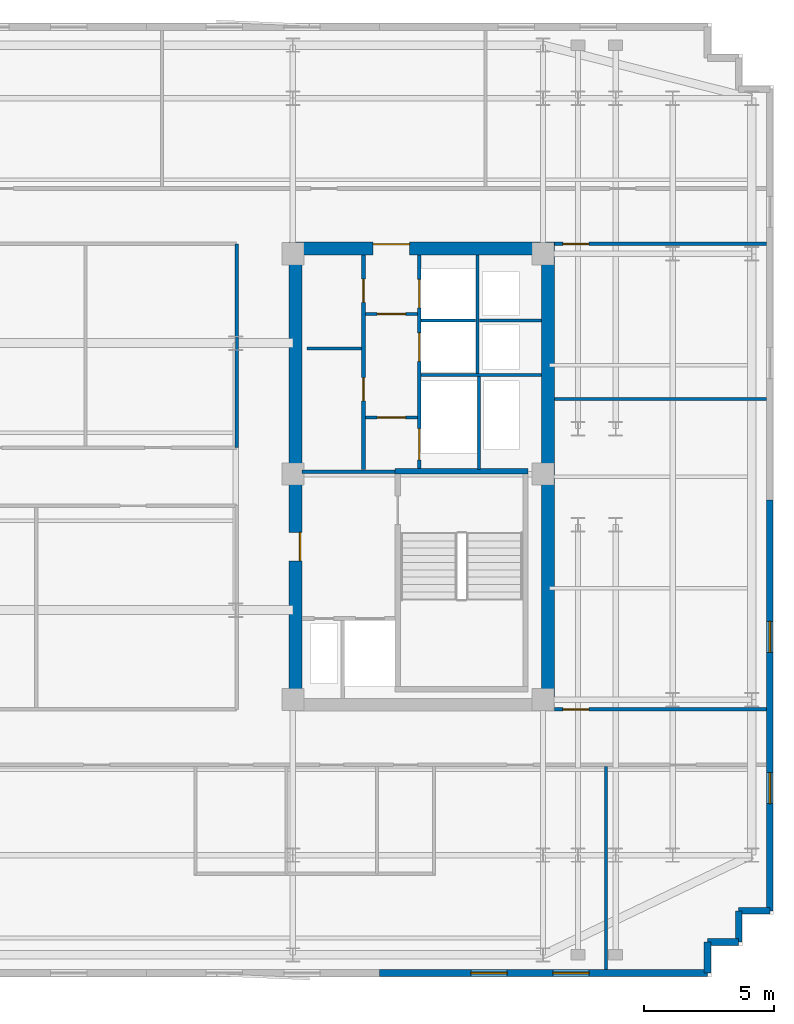
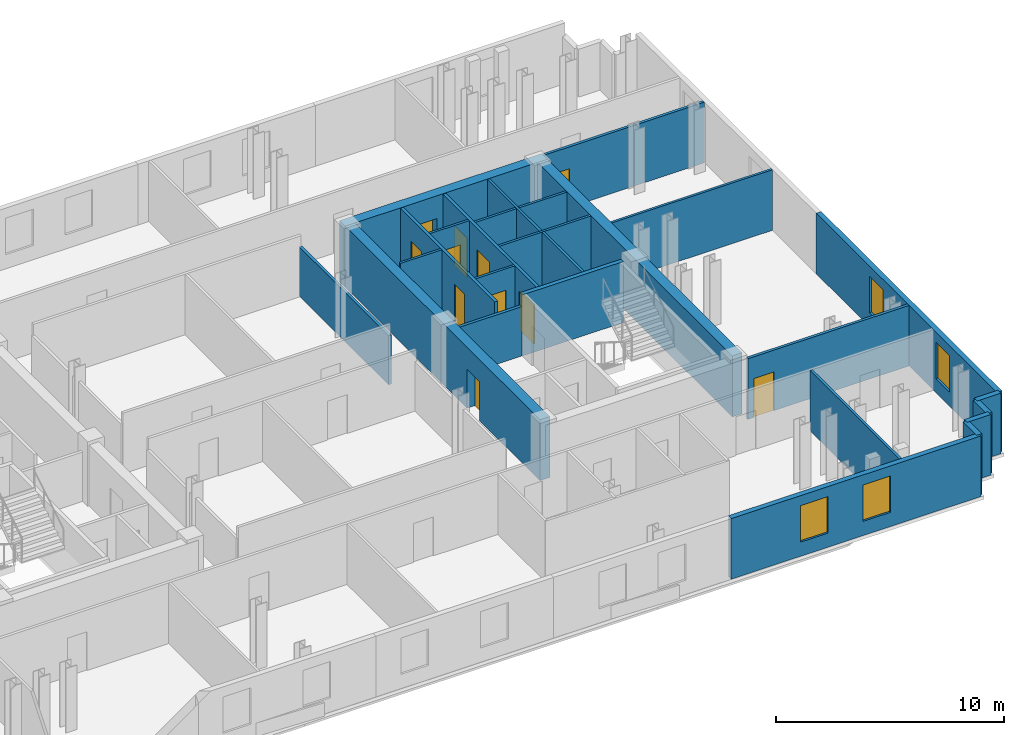
# One storey, part 6 of 9: 26 walls, 11 doors, 4 windows, 15 openings.
"""IFC4 building model written with IfcOpenShell, lengths in metres."""

import ifcopenshell
import ifcopenshell.guid

model = None  # the IFC model being written
_history = None  # IfcOwnerHistory: only IFC2X3 demands one
_inside = {}  # id of a spatial element -> (the spatial element, [elements in it])
_under = {}  # id of a project, library or spatial element -> (it, [spatial elements below it])
_declared = {}  # id of a project -> (the project, [libraries it declares])
_typed = {}  # id of a type object -> (the type object, [elements of that type])
_made_of = {}  # id of a material, layer set ... -> (it, [elements and type objects made of it])


def new_model(schema):
    """Start an empty IFC model of exactly this schema.

    Asked for "IFC4X3", IfcOpenShell would pick the latest addendum, in which some entities
    have other attributes; the version numbers below select the first issue.
    IFC2X3 requires an IfcOwnerHistory on every rooted entity: one is made here for all.
    """
    global model, _history
    if schema == "IFC4X3":
        model = ifcopenshell.file(schema_version=(4, 3, 0, 0))
    else:
        model = ifcopenshell.file(schema=schema)
    _inside.clear()
    _under.clear()
    _declared.clear()
    _typed.clear()
    _made_of.clear()
    _history = None
    if model.schema == "IFC2X3":
        org = make("IfcOrganization", Name="unknown")
        user = make(
            "IfcPersonAndOrganization",
            ThePerson=make("IfcPerson", FamilyName="unknown"),
            TheOrganization=org,
        )
        app = make(
            "IfcApplication",
            ApplicationDeveloper=org,
            Version="unknown",
            ApplicationFullName="unknown",
            ApplicationIdentifier="unknown",
        )
        _history = make(
            "IfcOwnerHistory",
            OwningUser=user,
            OwningApplication=app,
            ChangeAction="ADDED",
            CreationDate=0,
        )
    return model


def make(cls, **values):
    """One entity of the class cls with the attributes given. An attribute that is None is left unset."""
    return model.create_entity(
        cls, **{name: value for name, value in values.items() if value is not None}
    )


def rooted(cls, **values):
    """An entity with a GlobalId (a new one), such as an element, a storey or a relation."""
    return make(cls, GlobalId=ifcopenshell.guid.new(), OwnerHistory=_history, **values)


def si_unit(unit_type, name, prefix=None):
    """IfcSIUnit, for example si_unit("LENGTHUNIT", "METRE", prefix="MILLI")."""
    return make("IfcSIUnit", UnitType=unit_type, Prefix=prefix, Name=name)


def assignment(units):
    """IfcUnitAssignment: the units of a project."""
    return None if units is None else make("IfcUnitAssignment", Units=units)


def point(xyz):
    """IfcCartesianPoint."""
    return None if xyz is None else make("IfcCartesianPoint", Coordinates=xyz)


def direction(xyz):
    """IfcDirection."""
    return None if xyz is None else make("IfcDirection", DirectionRatios=xyz)


def frame(location, z_axis=None, x_axis=None):
    """IfcAxis2Placement3D, a coordinate frame: its origin and axes. An axis left out is left unset."""
    return make(
        "IfcAxis2Placement3D",
        Location=point(location),
        Axis=direction(z_axis),
        RefDirection=direction(x_axis),
    )


def frame_2d(location, x_axis=None):
    """IfcAxis2Placement2D, a coordinate frame in the plane: its origin and x axis."""
    return make(
        "IfcAxis2Placement2D", Location=point(location), RefDirection=direction(x_axis)
    )


def origin():
    """The frame at (0, 0, 0) with its axes left unset."""
    return frame((0.0, 0.0, 0.0))


def place(relative_to, where):
    """IfcLocalPlacement: puts the frame where relative to a parent placement (None: the world)."""
    return make(
        "IfcLocalPlacement", PlacementRelTo=relative_to, RelativePlacement=where
    )


def context(
    kind, dimensions, precision=None, world=None, true_north=None, identifier=None
):
    """IfcGeometricRepresentationContext, for example the 3D "Model" context."""
    return make(
        "IfcGeometricRepresentationContext",
        ContextIdentifier=identifier,
        ContextType=kind,
        CoordinateSpaceDimension=dimensions,
        Precision=precision,
        WorldCoordinateSystem=world,
        TrueNorth=true_north,
    )


def subcontext(parent, identifier, kind, view, scale=None):
    """IfcGeometricRepresentationSubContext, for example "Body" below "Model"."""
    return make(
        "IfcGeometricRepresentationSubContext",
        ContextIdentifier=identifier,
        ContextType=kind,
        ParentContext=parent,
        TargetScale=scale,
        TargetView=view,
    )


def project(units=None, contexts=None):
    """IfcProject with its units and contexts."""
    return rooted(
        "IfcProject",
        Name="project",
        RepresentationContexts=contexts,
        UnitsInContext=assignment(units),
    )


def spatial(cls, under=None, at=None, **own):
    """A site, building, storey or space (cls), placed at a placement, below another one or the project."""
    s = rooted(cls, ObjectPlacement=at, **own)
    if under is not None:
        _under.setdefault(under.id(), (under, []))[1].append(s)
    return s


def profile(cls, at=None, kind="AREA", **sizes):
    """A parametric profile (cls). Its sizes go by their IFC names, for example OverallWidth=200.0."""
    return make(cls, ProfileType=kind, Position=at, **sizes)


def rectangle(**sizes):
    """IfcRectangleProfileDef."""
    return profile("IfcRectangleProfileDef", **sizes)


def extrude(swept, where, along, depth):
    """IfcExtrudedAreaSolid: the profile swept, set in the frame where, extruded along a direction by depth."""
    return make(
        "IfcExtrudedAreaSolid",
        SweptArea=swept,
        Position=where,
        ExtrudedDirection=direction(along),
        Depth=depth,
    )


def shape(context_of_items, identifier, shape_type, items):
    """IfcShapeRepresentation: the items that make up one representation, for example the "Body"."""
    return make(
        "IfcShapeRepresentation",
        ContextOfItems=context_of_items,
        RepresentationIdentifier=identifier,
        RepresentationType=shape_type,
        Items=items,
    )


def material(Name=None, Category=None):
    """IfcMaterial."""
    return make("IfcMaterial", Name=Name, Category=Category)


def layer(
    of_material, thickness, ventilated=None, Name=None, Category=None, Priority=None
):
    """IfcMaterialLayer: one layer of a wall or slab, of a material (None: an air gap)."""
    return make(
        "IfcMaterialLayer",
        Material=of_material,
        LayerThickness=thickness,
        IsVentilated=ventilated,
        Name=Name,
        Category=Category,
        Priority=Priority,
    )


def layer_set(layers, Name=None):
    """IfcMaterialLayerSet."""
    return make("IfcMaterialLayerSet", MaterialLayers=layers, LayerSetName=Name)


def made_of(thing, what):
    """Note that an element or type object is made of a material, layer set ...; save() writes the relation."""
    if what is not None:
        _made_of.setdefault(what.id(), (what, []))[1].append(thing)
    return thing


def type_object(cls, material=None, **own):
    """A type object (cls), such as IfcWallType, which elements share."""
    return made_of(rooted(cls, **own), material)


def element(
    cls,
    number,
    at=None,
    inside=None,
    cuts=None,
    type_object=None,
    material=None,
    context=None,
    identifier="Body",
    shape_type=None,
    held_by="IfcProductDefinitionShape",
    body=None,
    shapes=None,
    **own,
):
    """One element of the class cls, such as IfcWall. Its Tag is "e" and its number.

    at: its placement. inside: the storey or other place that contains it. cuts: it is an
    opening in that element (IfcRelVoidsElement). A single representation is given by context,
    identifier, shape_type and body (its items); several are given by shapes. held_by: the class
    of the entity that holds the representations. save() writes the other relations.
    """
    e = rooted(cls, Tag="e%d" % number, ObjectPlacement=at, **own)
    if body is not None:
        shapes = [shape(context, identifier, shape_type, body)]
    if shapes is not None:
        e.Representation = make(held_by, Representations=shapes)
    if inside is not None:
        _inside.setdefault(inside.id(), (inside, []))[1].append(e)
    if cuts is not None:
        rooted(
            "IfcRelVoidsElement", RelatingBuildingElement=cuts, RelatedOpeningElement=e
        )
    if type_object is not None:
        _typed.setdefault(type_object.id(), (type_object, []))[1].append(e)
    return made_of(e, material)


def fill(opening, filler):
    """IfcRelFillsElement: the door or window that sits in an opening."""
    return rooted(
        "IfcRelFillsElement",
        RelatingOpeningElement=opening,
        RelatedBuildingElement=filler,
    )


def aggregate(whole, parts):
    """IfcRelAggregates: a whole, such as a stair, and the parts it consists of."""
    return rooted("IfcRelAggregates", RelatingObject=whole, RelatedObjects=parts)


def save(model, path):
    """Write the relations noted so far, then the file.

    IfcRelAggregates (storeys below a building ...), IfcRelContainedInSpatialStructure (elements
    in a storey), IfcRelDefinesByType, IfcRelAssociatesMaterial and IfcRelDeclares: one each for
    every whole, place, type object, material and project.
    """
    for whole, parts in _under.values():
        aggregate(whole, parts)
    for where, things in _inside.values():
        rooted(
            "IfcRelContainedInSpatialStructure",
            RelatedElements=things,
            RelatingStructure=where,
        )
    for kind, things in _typed.values():
        rooted("IfcRelDefinesByType", RelatedObjects=things, RelatingType=kind)
    for what, things in _made_of.values():
        rooted("IfcRelAssociatesMaterial", RelatedObjects=things, RelatingMaterial=what)
    for by, libraries in _declared.values():
        rooted("IfcRelDeclares", RelatingContext=by, RelatedDefinitions=libraries)
    model.write(path)


model = new_model("IFC4")

# Units and contexts
model_context = context("Model", 3, precision=1e-05, world=origin(), true_north=direction((0.0, 1.0)))
body_context = subcontext(model_context, "Body", "Model", "MODEL_VIEW")
ifc_project = project(units=[si_unit("LENGTHUNIT", "METRE"), si_unit("AREAUNIT", "SQUARE_METRE"), si_unit("VOLUMEUNIT", "CUBIC_METRE"), si_unit("PLANEANGLEUNIT", "RADIAN"), si_unit("MASSUNIT", "GRAM", prefix="KILO")], contexts=[model_context])

# Site, building, storey
site_placement = place(None, origin())
site = spatial("IfcSite", under=ifc_project, at=site_placement, CompositionType="ELEMENT")
building_placement = place(site_placement, origin())
building = spatial("IfcBuilding", under=site, at=building_placement, Name="Velakula Bourse", CompositionType="ELEMENT")
storey_placement = place(building_placement, frame((0.0, 0.0, 222.300048828125)))
storey = spatial("IfcBuildingStorey", under=building, at=storey_placement, Name="L60", CompositionType="ELEMENT", Elevation=222.300048828125)

# Wall
ifc_material_1 = material(Name="Concrete M50 (fck 50 MPa)", Category="concrete")
ifc_layer_1 = layer(ifc_material_1, 0.2099609375, Name="Concrete M50 (fck 50 MPa)", Category="concrete")
ifc_layer_set_1 = layer_set([ifc_layer_1], Name="Concrete M50 (fck 50 MPa)")
wall_type_1 = type_object("IfcWallType", Name="WL-CORE-210", PredefinedType="SHEAR", material=ifc_layer_set_1)
wall_1_placement = place(storey_placement, frame((18.030029296875, 0.205078125, 0.0), z_axis=(0.0, 0.0, 1.0), x_axis=(-1.0, 0.0, 0.0)))
element("IfcWall", 1, at=wall_1_placement, inside=storey, type_object=wall_type_1, Name="L60 Core E Stairwell Shear Wall N", PredefinedType="SHEAR", context=body_context, shape_type="SweptSolid", body=[
    extrude(rectangle(XDim=5.14013671875, YDim=0.2099609375, at=frame_2d((2.570068359375, 0.0))), origin(), (0.0, 0.0, 1.0), 3.27001953125),
])

# Wall, opening, door
ifc_layer_2 = layer(ifc_material_1, 0.5, Name="Concrete M50 (fck 50 MPa)", Category="concrete")
ifc_layer_set_2 = layer_set([ifc_layer_2], Name="Concrete M50 (fck 50 MPa)")
wall_type_2 = type_object("IfcWallType", Name="WL-CORE-500", PredefinedType="SHEAR", material=ifc_layer_set_2)
wall_2_placement = place(storey_placement, frame((8.800048828125, 8.800048828125, 0.0), z_axis=(0.0, 0.0, 1.0), x_axis=(1.0, 0.0, 0.0)))
wall_2 = element("IfcWall", 2, at=wall_2_placement, inside=storey, type_object=wall_type_2, Name="L60 Core E Shear Wall N", PredefinedType="SHEAR", context=body_context, shape_type="SweptSolid", body=[
    extrude(rectangle(XDim=10.25, YDim=0.5, at=frame_2d((5.125, 0.0))), origin(), (0.0, 0.0, 1.0), 3.27001953125),
])
opening_1_placement = place(wall_2_placement, frame((3.25, 0.0, 0.0)))
opening_1 = element("IfcOpeningElement", 3, at=opening_1_placement, cuts=wall_2, Name="Opening D-LLE", PredefinedType="OPENING", context=body_context, shape_type="SweptSolid", body=[
    extrude(rectangle(XDim=1.39990234375, YDim=2.050048828125, at=frame_2d((0.699951171875, 1.02490234375))), frame((0.0, 0.260009765625, 0.0), z_axis=(0.0, -1.0, 0.0), x_axis=(1.0, 0.0, 0.0)), (0.0, 0.0, 1.0), 0.52001953125),
])
ifc_material_2 = material(Name="Fire-rated hardwood flush architectural door", Category="wood")
door_type_1 = type_object("IfcDoorType", Name="DR-DBL-FD60-1400", OperationType="DOUBLE_DOOR_SINGLE_SWING", PredefinedType="DOOR", material=ifc_material_2)
door_1_placement = place(opening_1_placement, origin())
door_1 = element("IfcDoor", 4, at=door_1_placement, inside=storey, type_object=door_type_1, Name="L60 Core E Lift Lobby Corridor Double Door", OperationType="DOUBLE_DOOR_SINGLE_SWING", OverallHeight=2.050048828125, OverallWidth=1.39990234375, PredefinedType="DOOR", context=body_context, shape_type="SweptSolid", body=[
    extrude(rectangle(XDim=1.39990234375, YDim=2.050048828125, at=frame_2d((0.699951171875, 1.02490234375))), frame((0.0, 0.19482421875, 0.0), z_axis=(0.0, -1.0, 0.0), x_axis=(1.0, 0.0, 0.0)), (0.0, 0.0, 1.0), 0.050048828125),
])
fill(opening_1, door_1)

wall_3_placement = place(storey_placement, frame((9.050048828125, -8.550048828125, 0.0), z_axis=(0.0, 0.0, 1.0), x_axis=(0.0, 1.0, 0.0)))
wall_3 = element("IfcWall", 5, at=wall_3_placement, inside=storey, type_object=wall_type_2, Name="L60 Core E Shear Wall W", PredefinedType="SHEAR", context=body_context, shape_type="SweptSolid", body=[
    extrude(rectangle(XDim=17.10009765625, YDim=0.5, at=frame_2d((8.550048828125, 0.0))), origin(), (0.0, 0.0, 1.0), 3.27001953125),
])
opening_2_placement = place(wall_3_placement, frame((5.300048828125, 0.0, 0.0)))
opening_2 = element("IfcOpeningElement", 6, at=opening_2_placement, cuts=wall_3, Name="Opening D-FLE", PredefinedType="OPENING", context=body_context, shape_type="SweptSolid", body=[
    extrude(rectangle(XDim=1.10009765625, YDim=2.080078125, at=frame_2d((0.550048828125, 1.0400390625))), frame((0.0, 0.260009765625, 0.0), z_axis=(0.0, -1.0, 0.0), x_axis=(1.0, 0.0, 0.0)), (0.0, 0.0, 1.0), 0.52001953125),
])
ifc_material_3 = material(Name="Galvanised painted hollow steel fire door", Category="steel")
door_type_2 = type_object("IfcDoorType", Name="DR-FD120-1100", OperationType="NOTDEFINED", PredefinedType="DOOR", material=ifc_material_3)
door_2_placement = place(opening_2_placement, origin())
door_2 = element("IfcDoor", 7, at=door_2_placement, inside=storey, type_object=door_type_2, Name="L60 Firefighting Lobby E Corridor Fire Door", OperationType="SINGLE_SWING_RIGHT", OverallHeight=2.080078125, OverallWidth=1.10009765625, PredefinedType="DOOR", context=body_context, shape_type="SweptSolid", body=[
    extrude(rectangle(XDim=1.10009765625, YDim=2.080078125, at=frame_2d((0.550048828125, 1.0400390625))), frame((0.0, -0.15478515625, 0.0), z_axis=(0.0, -1.0, 0.0), x_axis=(1.0, 0.0, 0.0)), (0.0, 0.0, 1.0), 0.050048828125),
])
fill(opening_2, door_2)

# Wall
wall_4_placement = place(storey_placement, frame((18.800048828125, -8.550048828125, 0.0), z_axis=(0.0, 0.0, 1.0), x_axis=(0.0, 1.0, 0.0)))
element("IfcWall", 8, at=wall_4_placement, inside=storey, type_object=wall_type_2, Name="L60 Core E Shear Wall E", PredefinedType="SHEAR", context=body_context, shape_type="SweptSolid", body=[
    extrude(rectangle(XDim=17.10009765625, YDim=0.5, at=frame_2d((8.550048828125, 0.0))), origin(), (0.0, 0.0, 1.0), 3.27001953125),
])

# Wall, openings, windows
ifc_material_4 = material(Name="Buff kilned clay facing brick masonry", Category="masonry")
ifc_layer_3 = layer(ifc_material_4, 0.260009765625, Name="Buff kilned clay facing brick masonry", Category="masonry")
ifc_layer_set_3 = layer_set([ifc_layer_3], Name="Buff kilned clay facing brick masonry")
wall_type_3 = type_object("IfcWallType", Name="WL-EXT-BRK-260", PredefinedType="STANDARD", material=ifc_layer_set_3)
wall_5_placement = place(storey_placement, frame((24.949951171875, -19.14990234375, 0.0), z_axis=(0.0, 0.0, 1.0), x_axis=(-1.0, 0.0, 0.0)))
wall_5 = element("IfcWall", 9, at=wall_5_placement, inside=storey, type_object=wall_type_3, Name="L60 S Brick Spandrel Wall B5", PredefinedType="STANDARD", context=body_context, shape_type="SweptSolid", body=[
    extrude(rectangle(XDim=12.64990234375, YDim=0.260009765625, at=frame_2d((6.324951171875, 0.0))), origin(), (0.0, 0.0, 1.0), 3.25),
])
opening_3_placement = place(wall_5_placement, frame((4.566650390625, 0.0, 0.760009765625)))
opening_3 = element("IfcOpeningElement", 10, at=opening_3_placement, cuts=wall_5, Name="Opening W-03", PredefinedType="OPENING", context=body_context, shape_type="SweptSolid", body=[
    extrude(rectangle(XDim=1.39990234375, YDim=1.949951171875, at=frame_2d((0.699951171875, 0.97509765625))), frame((0.0, 0.139892578125, 0.0), z_axis=(0.0, -1.0, 0.0), x_axis=(1.0, 0.0, 0.0)), (0.0, 0.0, 1.0), 0.280029296875),
])
opening_4_placement = place(wall_5_placement, frame((7.7333984375, 0.0, 0.760009765625)))
opening_4 = element("IfcOpeningElement", 11, at=opening_4_placement, cuts=wall_5, Name="Opening W-03", PredefinedType="OPENING", context=body_context, shape_type="SweptSolid", body=[
    extrude(rectangle(XDim=1.39990234375, YDim=1.949951171875, at=frame_2d((0.699951171875, 0.97509765625))), frame((0.0, 0.139892578125, 0.0), z_axis=(0.0, -1.0, 0.0), x_axis=(1.0, 0.0, 0.0)), (0.0, 0.0, 1.0), 0.280029296875),
])
ifc_material_5 = material(Name="Double-glazed solar-control Low-E glass", Category="glass")
window_type_1 = type_object("IfcWindowType", Name="WIN-TWR-1400x2100", PartitioningType="SINGLE_PANEL", PredefinedType="WINDOW", material=ifc_material_5)
window_1_placement = place(opening_3_placement, origin())
window_1 = element("IfcWindow", 12, at=window_1_placement, inside=storey, type_object=window_type_1, Name="L60 Deep-Set Recessed Window 1", OverallHeight=1.949951171875, OverallWidth=1.39990234375, PartitioningType="SINGLE_PANEL", PredefinedType="WINDOW", context=body_context, shape_type="SweptSolid", body=[
    extrude(rectangle(XDim=1.39990234375, YDim=1.949951171875, at=frame_2d((0.699951171875, 0.97509765625))), frame((0.0, 0.030029296875, 0.0), z_axis=(0.0, -1.0, 0.0), x_axis=(1.0, 0.0, 0.0)), (0.0, 0.0, 1.0), 0.06005859375),
])
fill(opening_3, window_1)
window_2_placement = place(opening_4_placement, origin())
window_2 = element("IfcWindow", 13, at=window_2_placement, inside=storey, type_object=window_type_1, Name="L60 Deep-Set Recessed Window 2", OverallHeight=1.949951171875, OverallWidth=1.39990234375, PartitioningType="SINGLE_PANEL", PredefinedType="WINDOW", context=body_context, shape_type="SweptSolid", body=[
    extrude(rectangle(XDim=1.39990234375, YDim=1.949951171875, at=frame_2d((0.699951171875, 0.97509765625))), frame((0.0, 0.030029296875, 0.0), z_axis=(0.0, -1.0, 0.0), x_axis=(1.0, 0.0, 0.0)), (0.0, 0.0, 1.0), 0.06005859375),
])
fill(opening_4, window_2)

wall_6_placement = place(storey_placement, frame((27.35009765625, -0.89990234375, 0.0), z_axis=(0.0, 0.0, 1.0), x_axis=(0.0, -1.0, 0.0)))
wall_6 = element("IfcWall", 14, at=wall_6_placement, inside=storey, type_object=wall_type_3, Name="L60 E Brick End Wall W1", PredefinedType="STANDARD", context=body_context, shape_type="SweptSolid", body=[
    extrude(rectangle(XDim=15.85009765625, YDim=0.260009765625, at=frame_2d((7.925048828125, 0.0))), origin(), (0.0, 0.0, 1.0), 3.25),
])
opening_5_placement = place(wall_6_placement, frame((4.683349609375, 0.0, 0.760009765625)))
opening_5 = element("IfcOpeningElement", 15, at=opening_5_placement, cuts=wall_6, Name="Opening W-04", PredefinedType="OPENING", context=body_context, shape_type="SweptSolid", body=[
    extrude(rectangle(XDim=1.199951171875, YDim=1.949951171875, at=frame_2d((0.60009765625, 0.97509765625))), frame((0.0, 0.139892578125, 0.0), z_axis=(0.0, -1.0, 0.0), x_axis=(1.0, 0.0, 0.0)), (0.0, 0.0, 1.0), 0.280029296875),
])
opening_6_placement = place(wall_6_placement, frame((10.5166015625, 0.0, 0.760009765625)))
opening_6 = element("IfcOpeningElement", 16, at=opening_6_placement, cuts=wall_6, Name="Opening W-04", PredefinedType="OPENING", context=body_context, shape_type="SweptSolid", body=[
    extrude(rectangle(XDim=1.199951171875, YDim=1.949951171875, at=frame_2d((0.60009765625, 0.97509765625))), frame((0.0, 0.139892578125, 0.0), z_axis=(0.0, -1.0, 0.0), x_axis=(1.0, 0.0, 0.0)), (0.0, 0.0, 1.0), 0.280029296875),
])
window_type_2 = type_object("IfcWindowType", Name="WIN-TWR-1200x2100", PartitioningType="SINGLE_PANEL", PredefinedType="WINDOW", material=ifc_material_5)
window_3_placement = place(opening_5_placement, origin())
window_3 = element("IfcWindow", 17, at=window_3_placement, inside=storey, type_object=window_type_2, Name="L60 Deep-Set Recessed Window 1", OverallHeight=1.949951171875, OverallWidth=1.199951171875, PartitioningType="SINGLE_PANEL", PredefinedType="WINDOW", context=body_context, shape_type="SweptSolid", body=[
    extrude(rectangle(XDim=1.199951171875, YDim=1.949951171875, at=frame_2d((0.60009765625, 0.97509765625))), frame((0.0, 0.030029296875, 0.0), z_axis=(0.0, -1.0, 0.0), x_axis=(1.0, 0.0, 0.0)), (0.0, 0.0, 1.0), 0.06005859375),
])
fill(opening_5, window_3)
window_4_placement = place(opening_6_placement, origin())
window_4 = element("IfcWindow", 18, at=window_4_placement, inside=storey, type_object=window_type_2, Name="L60 Deep-Set Recessed Window 2", OverallHeight=1.949951171875, OverallWidth=1.199951171875, PartitioningType="SINGLE_PANEL", PredefinedType="WINDOW", context=body_context, shape_type="SweptSolid", body=[
    extrude(rectangle(XDim=1.199951171875, YDim=1.949951171875, at=frame_2d((0.60009765625, 0.97509765625))), frame((0.0, 0.030029296875, 0.0), z_axis=(0.0, -1.0, 0.0), x_axis=(1.0, 0.0, 0.0)), (0.0, 0.0, 1.0), 0.06005859375),
])
fill(opening_6, window_4)

# Walls
for number, where, z_axis, x_axis, name in (
    (19, (24.949951171875, -19.14990234375, 0.0), (0.0, 0.0, 1.0), (0.0, 1.0, 0.0), "L60 Serrated Corner Brick Wall SE-1"),
    (20, (24.949951171875, -17.949951171875, 0.0), (0.0, 0.0, 1.0), (1.0, 0.0, 0.0), "L60 Serrated Corner Brick Wall SE-2"),
    (21, (26.14990234375, -17.949951171875, 0.0), (0.0, 0.0, 1.0), (0.0, 1.0, 0.0), "L60 Serrated Corner Brick Wall SE-3"),
):
    element("IfcWall", number, at=place(storey_placement, frame(where, z_axis=z_axis, x_axis=x_axis)), inside=storey, type_object=wall_type_3, Name=name, PredefinedType="STANDARD", context=body_context, shape_type="SweptSolid", body=[
        extrude(rectangle(XDim=1.199951171875, YDim=0.260009765625, at=frame_2d((0.60009765625, 0.0))), origin(), (0.0, 0.0, 1.0), 3.25),
    ])
wall_7_placement = place(storey_placement, frame((26.14990234375, -16.75, 0.0), z_axis=(0.0, 0.0, 1.0), x_axis=(1.0, 0.0, 0.0)))
element("IfcWall", 22, at=wall_7_placement, inside=storey, type_object=wall_type_3, Name="L60 Serrated Corner Brick Wall SE-4", PredefinedType="STANDARD", context=body_context, shape_type="SweptSolid", body=[
    extrude(rectangle(XDim=1.2001953125, YDim=0.260009765625, at=frame_2d((0.60009765625, 0.0))), origin(), (0.0, 0.0, 1.0), 3.25),
])

# Wall, opening, door
ifc_material_6 = material(Name="Fire-rated double-layer gypsum drywall partition", Category="gypsum")
ifc_layer_4 = layer(ifc_material_6, 0.1201171875, Name="Fire-rated double-layer gypsum drywall partition", Category="gypsum")
ifc_layer_set_4 = layer_set([ifc_layer_4], Name="Fire-rated double-layer gypsum drywall partition")
wall_type_4 = type_object("IfcWallType", Name="WL-PART-120", PredefinedType="STANDARD", material=ifc_layer_set_4)
wall_8_placement = place(storey_placement, frame((11.75, 2.280029296875, 0.0), z_axis=(0.0, 0.0, 1.0), x_axis=(1.0, 0.0, 0.0)))
wall_8 = element("IfcWall", 23, at=wall_8_placement, inside=storey, type_object=wall_type_4, Name="L60 Interior Partition WL-CRE-L60-LL-K3A", PredefinedType="STANDARD", context=body_context, shape_type="SweptSolid", body=[
    extrude(rectangle(XDim=2.0, YDim=0.1201171875, at=frame_2d((1.0, 0.0))), origin(), (0.0, 0.0, 1.0), 3.25),
])
opening_7_placement = place(wall_8_placement, frame((0.449951171875, 0.0, 0.0)))
opening_7 = element("IfcOpeningElement", 24, at=opening_7_placement, cuts=wall_8, Name="Opening D-LK3", PredefinedType="OPENING", context=body_context, shape_type="SweptSolid", body=[
    extrude(rectangle(XDim=1.10009765625, YDim=2.10009765625, at=frame_2d((0.550048828125, 1.050048828125))), frame((0.0, 0.070068359375, 0.0), z_axis=(0.0, -1.0, 0.0), x_axis=(1.0, 0.0, 0.0)), (0.0, 0.0, 1.0), 0.14013671875),
])
door_type_3 = type_object("IfcDoorType", Name="DR-FD60-1100x2100", OperationType="NOTDEFINED", PredefinedType="DOOR", material=ifc_material_2)
door_3_placement = place(opening_7_placement, origin())
door_3 = element("IfcDoor", 25, at=door_3_placement, inside=storey, type_object=door_type_3, Name="L60 Core E Lift Lobby Vestibule Door A", OperationType="SINGLE_SWING_LEFT", OverallHeight=2.10009765625, OverallWidth=1.10009765625, PredefinedType="DOOR", context=body_context, shape_type="SweptSolid", body=[
    extrude(rectangle(XDim=1.10009765625, YDim=2.10009765625, at=frame_2d((0.550048828125, 1.050048828125))), frame((0.0, 0.02490234375, 0.0), z_axis=(0.0, -1.0, 0.0), x_axis=(1.0, 0.0, 0.0)), (0.0, 0.0, 1.0), 0.050048828125),
])
fill(opening_7, door_3)

wall_9_placement = place(storey_placement, frame((11.75, 6.280029296875, 0.0), z_axis=(0.0, 0.0, 1.0), x_axis=(1.0, 0.0, 0.0)))
wall_9 = element("IfcWall", 26, at=wall_9_placement, inside=storey, type_object=wall_type_4, Name="L60 Interior Partition WL-CRE-L60-LL-K3B", PredefinedType="STANDARD", context=body_context, shape_type="SweptSolid", body=[
    extrude(rectangle(XDim=2.0, YDim=0.1201171875, at=frame_2d((1.0, 0.0))), origin(), (0.0, 0.0, 1.0), 3.25),
])
opening_8_placement = place(wall_9_placement, frame((0.449951171875, 0.0, 0.0)))
opening_8 = element("IfcOpeningElement", 27, at=opening_8_placement, cuts=wall_9, Name="Opening D-LK3", PredefinedType="OPENING", context=body_context, shape_type="SweptSolid", body=[
    extrude(rectangle(XDim=1.10009765625, YDim=2.10009765625, at=frame_2d((0.550048828125, 1.050048828125))), frame((0.0, 0.070068359375, 0.0), z_axis=(0.0, -1.0, 0.0), x_axis=(1.0, 0.0, 0.0)), (0.0, 0.0, 1.0), 0.14013671875),
])
door_4_placement = place(opening_8_placement, origin())
door_4 = element("IfcDoor", 28, at=door_4_placement, inside=storey, type_object=door_type_3, Name="L60 Core E Lift Lobby Vestibule Door B", OperationType="SINGLE_SWING_RIGHT", OverallHeight=2.10009765625, OverallWidth=1.10009765625, PredefinedType="DOOR", context=body_context, shape_type="SweptSolid", body=[
    extrude(rectangle(XDim=1.10009765625, YDim=2.10009765625, at=frame_2d((0.550048828125, 1.050048828125))), frame((0.0, 0.02490234375, 0.0), z_axis=(0.0, -1.0, 0.0), x_axis=(1.0, 0.0, 0.0)), (0.0, 0.0, 1.0), 0.050048828125),
])
fill(opening_8, door_4)

# Walls
wall_10_placement = place(storey_placement, frame((9.5, 4.949951171875, 0.0), z_axis=(0.0, 0.0, 1.0), x_axis=(1.0, 0.0, 0.0)))
element("IfcWall", 29, at=wall_10_placement, inside=storey, type_object=wall_type_4, Name="L60 Interior Partition WL-CRE-L60-RCDIV", PredefinedType="STANDARD", context=body_context, shape_type="SweptSolid", body=[
    extrude(rectangle(XDim=2.10009765625, YDim=0.1201171875, at=frame_2d((1.050048828125, 0.0))), origin(), (0.0, 0.0, 1.0), 3.25),
])
wall_11_placement = place(storey_placement, frame((13.89990234375, 3.919921875, 0.0), z_axis=(0.0, 0.0, 1.0), x_axis=(1.0, 0.0, 0.0)))
element("IfcWall", 30, at=wall_11_placement, inside=storey, type_object=wall_type_4, Name="L60 Interior Partition WL-CRE-L60-HI-S", PredefinedType="STANDARD", context=body_context, shape_type="SweptSolid", body=[
    extrude(rectangle(XDim=4.650146484375, YDim=0.1201171875, at=frame_2d((2.3251953125, 0.0))), origin(), (0.0, 0.0, 1.0), 3.25),
])
wall_12_placement = place(storey_placement, frame((16.14990234375, 6.030029296875, 0.0), z_axis=(0.0, 0.0, 1.0), x_axis=(1.0, 0.0, 0.0)))
element("IfcWall", 31, at=wall_12_placement, inside=storey, type_object=wall_type_4, Name="L60 Interior Partition WL-CRE-L60-RIS-MID", PredefinedType="STANDARD", context=body_context, shape_type="SweptSolid", body=[
    extrude(rectangle(XDim=2.400146484375, YDim=0.1201171875, at=frame_2d((1.2001953125, 0.0))), origin(), (0.0, 0.0, 1.0), 3.25),
])
wall_13_placement = place(storey_placement, frame((16.074951171875, 3.97998046875, 0.0), z_axis=(0.0, 0.0, 1.0), x_axis=(0.0, 1.0, 0.0)))
element("IfcWall", 32, at=wall_13_placement, inside=storey, type_object=wall_type_4, Name="L60 Interior Partition WL-CRE-L60-RIS-F", PredefinedType="STANDARD", context=body_context, shape_type="SweptSolid", body=[
    extrude(rectangle(XDim=4.570068359375, YDim=0.1201171875, at=frame_2d((2.28515625, 0.0))), origin(), (0.0, 0.0, 1.0), 3.25),
])
wall_14_placement = place(storey_placement, frame((13.89990234375, 6.030029296875, 0.0), z_axis=(0.0, 0.0, 1.0), x_axis=(1.0, 0.0, 0.0)))
element("IfcWall", 33, at=wall_14_placement, inside=storey, type_object=wall_type_4, Name="L60 Interior Partition WL-CRE-L60-HI-DIV", PredefinedType="STANDARD", context=body_context, shape_type="SweptSolid", body=[
    extrude(rectangle(XDim=2.10009765625, YDim=0.1201171875, at=frame_2d((1.050048828125, 0.0))), origin(), (0.0, 0.0, 1.0), 3.25),
])
wall_15_placement = place(storey_placement, frame((16.125, 0.27001953125, 0.0), z_axis=(0.0, 0.0, 1.0), x_axis=(0.0, 1.0, 0.0)))
element("IfcWall", 34, at=wall_15_placement, inside=storey, type_object=wall_type_4, Name="L60 Interior Partition WL-CRE-L60-SVL-E", PredefinedType="STANDARD", context=body_context, shape_type="SweptSolid", body=[
    extrude(rectangle(XDim=3.590087890625, YDim=0.1201171875, at=frame_2d((1.794921875, 0.0))), origin(), (0.0, 0.0, 1.0), 3.25),
])
wall_16_placement = place(storey_placement, frame((21.034912109375, -19.02001953125, 0.0), z_axis=(0.0, 0.0, 1.0), x_axis=(0.0, 1.0, 0.0)))
element("IfcWall", 35, at=wall_16_placement, inside=storey, type_object=wall_type_4, Name="L60 Interior Partition WL-INT-L60-SR-D8", PredefinedType="STANDARD", context=body_context, shape_type="SweptSolid", body=[
    extrude(rectangle(XDim=7.830078125, YDim=0.1201171875, at=frame_2d((3.9150390625, 0.0))), origin(), (0.0, 0.0, 1.0), 3.25),
])
wall_17_placement = place(storey_placement, frame((19.050048828125, 3.0, 0.0), z_axis=(0.0, 0.0, 1.0), x_axis=(1.0, 0.0, 0.0)))
element("IfcWall", 36, at=wall_17_placement, inside=storey, type_object=wall_type_4, Name="L60 Interior Partition WL-INT-L60-E-H", PredefinedType="STANDARD", context=body_context, shape_type="SweptSolid", body=[
    extrude(rectangle(XDim=8.169921875, YDim=0.1201171875, at=frame_2d((4.0849609375, 0.0))), origin(), (0.0, 0.0, 1.0), 3.25),
])

# Wall, opening, door
ifc_layer_5 = layer(ifc_material_6, 0.139892578125, Name="Fire-rated double-layer gypsum drywall partition", Category="gypsum")
ifc_layer_set_5 = layer_set([ifc_layer_5], Name="Fire-rated double-layer gypsum drywall partition")
wall_type_5 = type_object("IfcWallType", Name="WL-PART-140", PredefinedType="STANDARD", material=ifc_layer_set_5)
wall_18_placement = place(storey_placement, frame((19.050048828125, 8.97998046875, 0.0), z_axis=(0.0, 0.0, 1.0), x_axis=(1.0, 0.0, 0.0)))
wall_18 = element("IfcWall", 37, at=wall_18_placement, inside=storey, type_object=wall_type_5, Name="L60 Interior Partition WL-INT-L60-E-NC", PredefinedType="STANDARD", context=body_context, shape_type="SweptSolid", body=[
    extrude(rectangle(XDim=8.169921875, YDim=0.139892578125, at=frame_2d((4.0849609375, 0.0))), origin(), (0.0, 0.0, 1.0), 3.25),
])
opening_9_placement = place(wall_18_placement, frame((0.320068359375, 0.0, 0.0)))
opening_9 = element("IfcOpeningElement", 38, at=opening_9_placement, cuts=wall_18, Name="Opening D-OF1", PredefinedType="OPENING", context=body_context, shape_type="SweptSolid", body=[
    extrude(rectangle(XDim=1.0, YDim=2.080078125, at=frame_2d((0.5, 1.0400390625))), frame((0.0, 0.079833984375, 0.0), z_axis=(0.0, -1.0, 0.0), x_axis=(1.0, 0.0, 0.0)), (0.0, 0.0, 1.0), 0.159912109375),
])
door_type_4 = type_object("IfcDoorType", Name="DR-OFF-1000", OperationType="NOTDEFINED", PredefinedType="DOOR", material=ifc_material_2)
door_5_placement = place(opening_9_placement, origin())
door_5 = element("IfcDoor", 39, at=door_5_placement, inside=storey, type_object=door_type_4, Name="L60 Bullion Assay Office Door", OperationType="SINGLE_SWING_LEFT", OverallHeight=2.080078125, OverallWidth=1.0, PredefinedType="DOOR", context=body_context, shape_type="SweptSolid", body=[
    extrude(rectangle(XDim=1.0, YDim=2.080078125, at=frame_2d((0.5, 1.0400390625))), frame((0.0, 0.02490234375, 0.0), z_axis=(0.0, -1.0, 0.0), x_axis=(1.0, 0.0, 0.0)), (0.0, 0.0, 1.0), 0.050048828125),
])
fill(opening_9, door_5)

wall_19_placement = place(storey_placement, frame((19.050048828125, -8.97998046875, 0.0), z_axis=(0.0, 0.0, 1.0), x_axis=(1.0, 0.0, 0.0)))
wall_19 = element("IfcWall", 40, at=wall_19_placement, inside=storey, type_object=wall_type_5, Name="L60 Interior Partition WL-INT-L60-E-SC", PredefinedType="STANDARD", context=body_context, shape_type="SweptSolid", body=[
    extrude(rectangle(XDim=8.169921875, YDim=0.139892578125, at=frame_2d((4.0849609375, 0.0))), origin(), (0.0, 0.0, 1.0), 3.25),
])
opening_10_placement = place(wall_19_placement, frame((0.320068359375, 0.0, 0.0)))
opening_10 = element("IfcOpeningElement", 41, at=opening_10_placement, cuts=wall_19, Name="Opening D-OF1", PredefinedType="OPENING", context=body_context, shape_type="SweptSolid", body=[
    extrude(rectangle(XDim=1.0, YDim=2.080078125, at=frame_2d((0.5, 1.0400390625))), frame((0.0, 0.079833984375, 0.0), z_axis=(0.0, -1.0, 0.0), x_axis=(1.0, 0.0, 0.0)), (0.0, 0.0, 1.0), 0.159912109375),
])
door_6_placement = place(opening_10_placement, origin())
door_6 = element("IfcDoor", 42, at=door_6_placement, inside=storey, type_object=door_type_4, Name="L60 Cybersecurity Operations Workspace Door", OperationType="SINGLE_SWING_RIGHT", OverallHeight=2.080078125, OverallWidth=1.0, PredefinedType="DOOR", context=body_context, shape_type="SweptSolid", body=[
    extrude(rectangle(XDim=1.0, YDim=2.080078125, at=frame_2d((0.5, 1.0400390625))), frame((0.0, 0.02490234375, 0.0), z_axis=(0.0, -1.0, 0.0), x_axis=(1.0, 0.0, 0.0)), (0.0, 0.0, 1.0), 0.050048828125),
])
fill(opening_10, door_6)

# Walls
wall_20_placement = place(storey_placement, frame((6.780029296875, 1.1201171875, 0.0), z_axis=(0.0, 0.0, 1.0), x_axis=(0.0, 1.0, 0.0)))
element("IfcWall", 43, at=wall_20_placement, inside=storey, type_object=wall_type_5, Name="L60 Interior Partition WL-INT-L60-MN-E", PredefinedType="STANDARD", context=body_context, shape_type="SweptSolid", body=[
    extrude(rectangle(XDim=7.85986328125, YDim=0.139892578125, at=frame_2d((3.929931640625, 0.0))), origin(), (0.0, 0.0, 1.0), 2.64501953125),
])
ifc_material_7 = material(Name="Autoclaved aerated concrete blockwork masonry", Category="masonry")
ifc_layer_6 = layer(ifc_material_7, 0.14990234375, Name="Autoclaved aerated concrete blockwork masonry", Category="masonry")
ifc_layer_set_6 = layer_set([ifc_layer_6], Name="Autoclaved aerated concrete blockwork masonry")
wall_type_6 = type_object("IfcWallType", Name="WL-SHAFT-150", PredefinedType="STANDARD", material=ifc_layer_set_6)
wall_21_placement = place(storey_placement, frame((9.300048828125, 0.18994140625, 0.0), z_axis=(0.0, 0.0, 1.0), x_axis=(1.0, 0.0, 0.0)))
element("IfcWall", 44, at=wall_21_placement, inside=storey, type_object=wall_type_6, Name="L60 Interior Partition WL-CRE-L60-FF-TOP", PredefinedType="STANDARD", context=body_context, shape_type="SweptSolid", body=[
    extrude(rectangle(XDim=3.58984375, YDim=0.14990234375, at=frame_2d((1.794921875, 0.0))), origin(), (0.0, 0.0, 1.0), 2.64501953125),
])

# Wall, openings, doors
wall_22_placement = place(storey_placement, frame((11.675048828125, 0.27001953125, 0.0), z_axis=(0.0, 0.0, 1.0), x_axis=(0.0, 1.0, 0.0)))
wall_22 = element("IfcWall", 45, at=wall_22_placement, inside=storey, type_object=wall_type_6, Name="L60 Interior Partition WL-CRE-L60-BANK-F", PredefinedType="STANDARD", context=body_context, shape_type="SweptSolid", body=[
    extrude(rectangle(XDim=8.280029296875, YDim=0.14990234375, at=frame_2d((4.14013671875, 0.0))), origin(), (0.0, 0.0, 1.0), 3.25),
])
opening_11_placement = place(wall_22_placement, frame((2.64990234375, 0.0, 0.0)))
opening_11 = element("IfcOpeningElement", 46, at=opening_11_placement, cuts=wall_22, Name="Opening D-RC2", PredefinedType="OPENING", context=body_context, shape_type="SweptSolid", body=[
    extrude(rectangle(XDim=0.89990234375, YDim=2.050048828125, at=frame_2d((0.449951171875, 1.02490234375))), frame((0.0, 0.0849609375, 0.0), z_axis=(0.0, -1.0, 0.0), x_axis=(1.0, 0.0, 0.0)), (0.0, 0.0, 1.0), 0.169921875),
])
opening_12_placement = place(wall_22_placement, frame((6.449951171875, 0.0, 0.0)))
opening_12 = element("IfcOpeningElement", 47, at=opening_12_placement, cuts=wall_22, Name="Opening D-RC2", PredefinedType="OPENING", context=body_context, shape_type="SweptSolid", body=[
    extrude(rectangle(XDim=0.89990234375, YDim=2.050048828125, at=frame_2d((0.449951171875, 1.02490234375))), frame((0.0, 0.0849609375, 0.0), z_axis=(0.0, -1.0, 0.0), x_axis=(1.0, 0.0, 0.0)), (0.0, 0.0, 1.0), 0.169921875),
])
door_type_5 = type_object("IfcDoorType", Name="DR-FD60-900", OperationType="NOTDEFINED", PredefinedType="DOOR", material=ifc_material_2)
door_7_placement = place(opening_11_placement, origin())
door_7 = element("IfcDoor", 48, at=door_7_placement, inside=storey, type_object=door_type_5, Name="L60 Reclaimed Vault Room Door", OperationType="SINGLE_SWING_LEFT", OverallHeight=2.050048828125, OverallWidth=0.89990234375, PredefinedType="DOOR", context=body_context, shape_type="SweptSolid", body=[
    extrude(rectangle(XDim=0.89990234375, YDim=2.050048828125, at=frame_2d((0.449951171875, 1.02490234375))), frame((0.0, 0.02490234375, 0.0), z_axis=(0.0, -1.0, 0.0), x_axis=(1.0, 0.0, 0.0)), (0.0, 0.0, 1.0), 0.050048828125),
])
fill(opening_11, door_7)
door_8_placement = place(opening_12_placement, origin())
door_8 = element("IfcDoor", 49, at=door_8_placement, inside=storey, type_object=door_type_5, Name="L60 Reclaimed Depository Store Door", OperationType="SINGLE_SWING_RIGHT", OverallHeight=2.050048828125, OverallWidth=0.89990234375, PredefinedType="DOOR", context=body_context, shape_type="SweptSolid", body=[
    extrude(rectangle(XDim=0.89990234375, YDim=2.050048828125, at=frame_2d((0.449951171875, 1.02490234375))), frame((0.0, 0.02490234375, 0.0), z_axis=(0.0, -1.0, 0.0), x_axis=(1.0, 0.0, 0.0)), (0.0, 0.0, 1.0), 0.050048828125),
])
fill(opening_12, door_8)

wall_23_placement = place(storey_placement, frame((13.824951171875, 0.27001953125, 0.0), z_axis=(0.0, 0.0, 1.0), x_axis=(0.0, 1.0, 0.0)))
wall_23 = element("IfcWall", 50, at=wall_23_placement, inside=storey, type_object=wall_type_6, Name="L60 Interior Partition WL-CRE-L60-OUT-F", PredefinedType="STANDARD", context=body_context, shape_type="SweptSolid", body=[
    extrude(rectangle(XDim=8.280029296875, YDim=0.14990234375, at=frame_2d((4.14013671875, 0.0))), origin(), (0.0, 0.0, 1.0), 3.25),
])
opening_13_placement = place(wall_23_placement, frame((4.175048828125, 0.0, 0.0)))
opening_13 = element("IfcOpeningElement", 51, at=opening_13_placement, cuts=wall_23, Name="Opening LD-P11", PredefinedType="OPENING", context=body_context, shape_type="SweptSolid", body=[
    extrude(rectangle(XDim=1.10009765625, YDim=2.10009765625, at=frame_2d((0.550048828125, 1.050048828125))), frame((0.0, 0.0849609375, 0.0), z_axis=(0.0, -1.0, 0.0), x_axis=(1.0, 0.0, 0.0)), (0.0, 0.0, 1.0), 0.169921875),
])
opening_14_placement = place(wall_23_placement, frame((6.2451171875, 0.0, 0.0)))
opening_14 = element("IfcOpeningElement", 52, at=opening_14_placement, cuts=wall_23, Name="Opening LD-P12", PredefinedType="OPENING", context=body_context, shape_type="SweptSolid", body=[
    extrude(rectangle(XDim=1.10009765625, YDim=2.10009765625, at=frame_2d((0.550048828125, 1.050048828125))), frame((0.0, 0.0849609375, 0.0), z_axis=(0.0, -1.0, 0.0), x_axis=(1.0, 0.0, 0.0)), (0.0, 0.0, 1.0), 0.169921875),
])
opening_15_placement = place(wall_23_placement, frame((0.3798828125, 0.0, 0.0)))
opening_15 = element("IfcOpeningElement", 53, at=opening_15_placement, cuts=wall_23, Name="Opening LD-SVL1", PredefinedType="OPENING", context=body_context, shape_type="SweptSolid", body=[
    extrude(rectangle(XDim=1.199951171875, YDim=2.10009765625, at=frame_2d((0.60009765625, 1.050048828125))), frame((0.0, 0.0849609375, 0.0), z_axis=(0.0, -1.0, 0.0), x_axis=(1.0, 0.0, 0.0)), (0.0, 0.0, 1.0), 0.169921875),
])
ifc_material_8 = material(Name="Brushed grade 316 stainless steel", Category="steel")
door_type_6 = type_object("IfcDoorType", Name="DR-SLIDE-LD-1100", OperationType="DOUBLE_DOOR_SLIDING", PredefinedType="DOOR", material=ifc_material_8)
door_9_placement = place(opening_13_placement, origin())
door_9 = element("IfcDoor", 54, at=door_9_placement, inside=storey, type_object=door_type_6, Name="L60 Passenger Lift P11 Sliding Landing Door", OperationType="DOUBLE_DOOR_SLIDING", OverallHeight=2.10009765625, OverallWidth=1.10009765625, PredefinedType="DOOR", context=body_context, shape_type="SweptSolid", body=[
    extrude(rectangle(XDim=1.10009765625, YDim=2.10009765625, at=frame_2d((0.550048828125, 1.050048828125))), frame((0.0, 0.02490234375, 0.0), z_axis=(0.0, -1.0, 0.0), x_axis=(1.0, 0.0, 0.0)), (0.0, 0.0, 1.0), 0.050048828125),
])
fill(opening_13, door_9)
door_10_placement = place(opening_14_placement, origin())
door_10 = element("IfcDoor", 55, at=door_10_placement, inside=storey, type_object=door_type_6, Name="L60 Passenger Lift P12 Sliding Landing Door", OperationType="DOUBLE_DOOR_SLIDING", OverallHeight=2.10009765625, OverallWidth=1.10009765625, PredefinedType="DOOR", context=body_context, shape_type="SweptSolid", body=[
    extrude(rectangle(XDim=1.10009765625, YDim=2.10009765625, at=frame_2d((0.550048828125, 1.050048828125))), frame((0.0, 0.02490234375, 0.0), z_axis=(0.0, -1.0, 0.0), x_axis=(1.0, 0.0, 0.0)), (0.0, 0.0, 1.0), 0.050048828125),
])
fill(opening_14, door_10)
door_type_7 = type_object("IfcDoorType", Name="DR-SLIDE-LD-1200", OperationType="DOUBLE_DOOR_SLIDING", PredefinedType="DOOR", material=ifc_material_8)
door_11_placement = place(opening_15_placement, origin())
door_11 = element("IfcDoor", 56, at=door_11_placement, inside=storey, type_object=door_type_7, Name="L60 Service Lift SVL-1 Sliding Landing Door", OperationType="DOUBLE_DOOR_SLIDING", OverallHeight=2.10009765625, OverallWidth=1.199951171875, PredefinedType="DOOR", context=body_context, shape_type="SweptSolid", body=[
    extrude(rectangle(XDim=1.199951171875, YDim=2.10009765625, at=frame_2d((0.60009765625, 1.050048828125))), frame((0.0, 0.02490234375, 0.0), z_axis=(0.0, -1.0, 0.0), x_axis=(1.0, 0.0, 0.0)), (0.0, 0.0, 1.0), 0.050048828125),
])
fill(opening_15, door_11)

save(model, "model.ifc")
